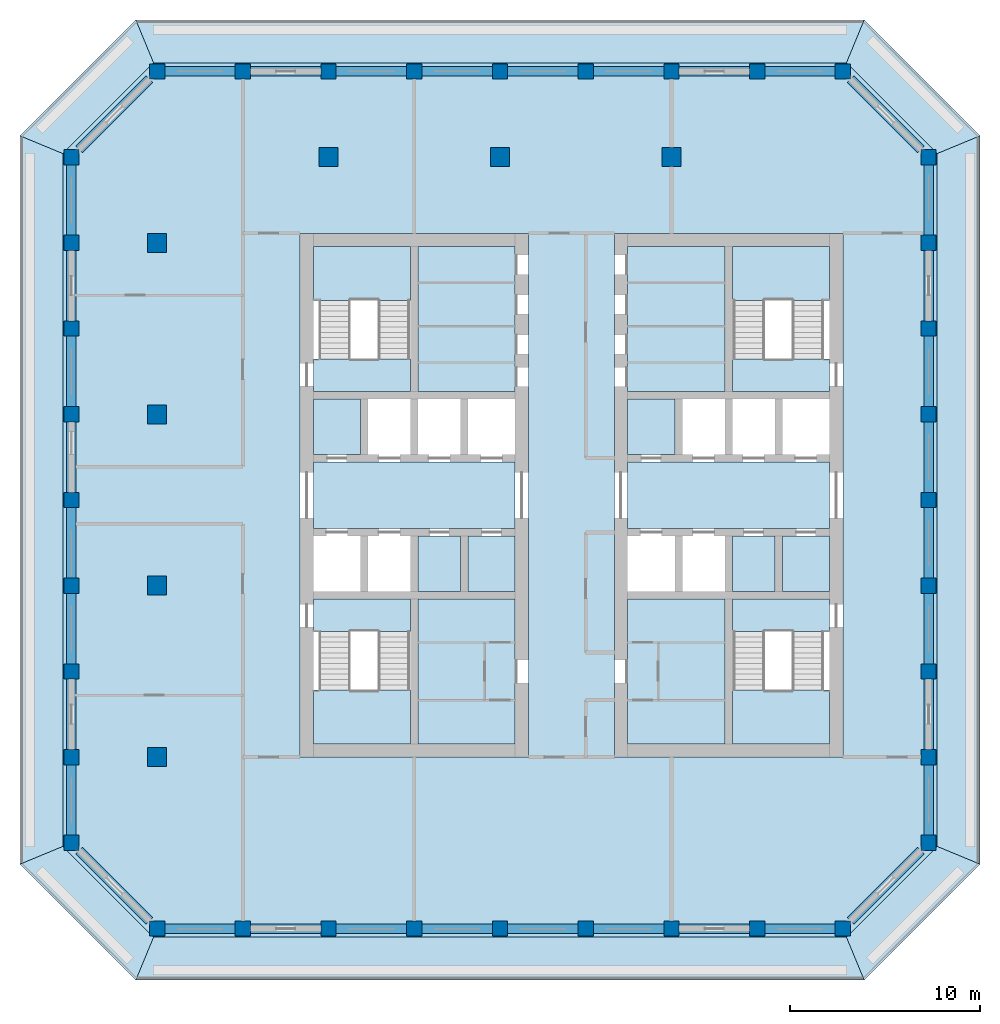
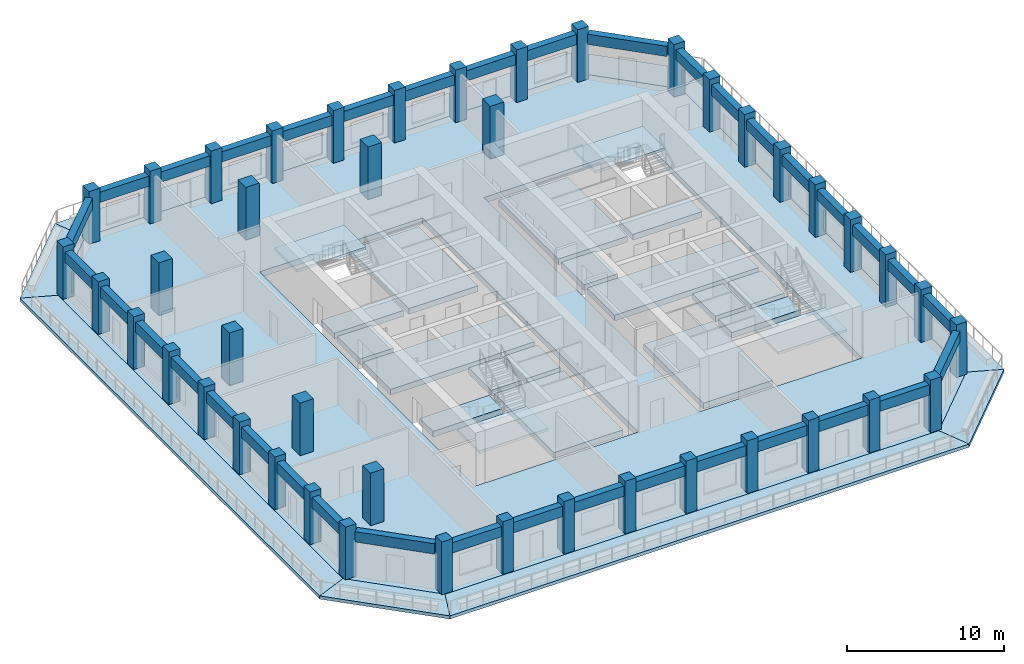
# One storey, part 1 of 14: 43 columns, 36 beams, 29 slabs, 4 elements without a shape of their own.
"""IFC4 building model written with IfcOpenShell, lengths in metres."""

from ifc_helpers import new_model, si_unit, direction, frame, origin, origin_2d, place, context, subcontext, project, spatial, polyline, rectangle, outline, extrude, material, layer, layer_set, material_profile, profile_set, type_object, element, aggregate, save


model = new_model("IFC4")

# Units and contexts
model_context = context("Model", 3, precision=1e-05, world=origin(), true_north=direction((0.0, 1.0)))
body_context = subcontext(model_context, "Body", "Model", "MODEL_VIEW")
ifc_project = project(units=[si_unit("LENGTHUNIT", "METRE"), si_unit("AREAUNIT", "SQUARE_METRE"), si_unit("VOLUMEUNIT", "CUBIC_METRE"), si_unit("PLANEANGLEUNIT", "RADIAN"), si_unit("MASSUNIT", "GRAM", prefix="KILO")], contexts=[model_context])

# Site, building, storey
site_placement = place(None, origin())
site = spatial("IfcSite", under=ifc_project, at=site_placement, CompositionType="ELEMENT")
building_placement = place(site_placement, origin())
building = spatial("IfcBuilding", under=site, at=building_placement, Name="Corbel Stack Research Tower", CompositionType="ELEMENT")
storey_placement = place(building_placement, frame((0.0, 0.0, 270.39990234375)))
storey = spatial("IfcBuildingStorey", under=building, at=storey_placement, Name="L61", CompositionType="ELEMENT", Elevation=270.39990234375)

# Columns
ifc_material_1 = material(Name="Concrete C60/75", Category="concrete")
ifc_material_profile_1 = material_profile(ifc_material_1, rectangle(XDim=1.0, YDim=1.0, at=origin_2d()), Name="RC 1000 x 1000")
ifc_profile_set_1 = profile_set([ifc_material_profile_1], Name="Concrete C60/75")
column_type_1 = type_object("IfcColumnType", Name="C-1000-60", PredefinedType="COLUMN", material=ifc_profile_set_1)
for number, where, z_axis, x_axis, name in (
    (1, (-18.0, -9.0, 0.0), (0.0, 0.0, 1.0), (1.0, 0.0, 0.0), "Column 4/F L61"),
    (2, (-18.0, 0.0, 0.0), (0.0, 0.0, 1.0), (1.0, 0.0, 0.0), "Column 4/H L61"),
    (3, (-18.0, 9.0, 0.0), (0.0, 0.0, 1.0), (1.0, 0.0, 0.0), "Column 4/K L61"),
    (4, (-18.0, 18.0, 0.0), (0.0, 0.0, 1.0), (1.0, 0.0, 0.0), "Column 4/M L61"),
    (5, (-9.0, 22.5, 0.0), (0.0, 0.0, 1.0), (1.0, 0.0, 0.0), "Column 6/N L61"),
    (6, (0.0, 22.5, 0.0), (0.0, 0.0, 1.0), (1.0, 0.0, 0.0), "Column 8/N L61"),
    (7, (9.0, 22.5, 0.0), (0.0, 0.0, 1.0), (1.0, 0.0, 0.0), "Column 10/N L61"),
):
    element("IfcColumn", number, at=place(storey_placement, frame(where, z_axis=z_axis, x_axis=x_axis)), inside=storey, type_object=column_type_1, Name=name, PredefinedType="COLUMN", context=body_context, shape_type="SweptSolid", body=[
        extrude(rectangle(XDim=1.0, YDim=1.0, at=origin_2d()), origin(), (0.0, 0.0, 1.0), 4.10009765625),
    ])
ifc_material_2 = material(Name="Concrete C60/75", Category="concrete")
ifc_material_profile_2 = material_profile(ifc_material_2, rectangle(XDim=0.800048828125, YDim=0.800048828125, at=origin_2d()), Name="RC 800 x 800")
ifc_profile_set_2 = profile_set([ifc_material_profile_2], Name="Concrete C60/75")
column_type_2 = type_object("IfcColumnType", Name="C-800-60", PredefinedType="COLUMN", material=ifc_profile_set_2)
for number, where, z_axis, x_axis, name in (
    (8, (-22.5, -13.5, 0.0), (0.0, 0.0, 1.0), (1.0, 0.0, 0.0), "Column 3/E L61"),
    (9, (-22.5, -9.0, 0.0), (0.0, 0.0, 1.0), (1.0, 0.0, 0.0), "Column 3/F L61"),
    (10, (-22.5, -4.5, 0.0), (0.0, 0.0, 1.0), (1.0, 0.0, 0.0), "Column 3/G L61"),
    (11, (-22.5, 0.0, 0.0), (0.0, 0.0, 1.0), (1.0, 0.0, 0.0), "Column 3/H L61"),
    (12, (-22.5, 4.5, 0.0), (0.0, 0.0, 1.0), (1.0, 0.0, 0.0), "Column 3/J L61"),
    (13, (-22.5, 9.0, 0.0), (0.0, 0.0, 1.0), (1.0, 0.0, 0.0), "Column 3/K L61"),
    (14, (-22.5, 13.5, 0.0), (0.0, 0.0, 1.0), (1.0, 0.0, 0.0), "Column 3/L L61"),
    (15, (-22.5, 18.0, 0.0), (0.0, 0.0, 1.0), (1.0, 0.0, 0.0), "Column 3/M L61"),
    (16, (-22.5, 22.5, 0.0), (0.0, 0.0, 1.0), (1.0, 0.0, 0.0), "Column 3/N L61"),
    (17, (-18.0, -18.0, 0.0), (0.0, 0.0, 1.0), (1.0, 0.0, 0.0), "Column 4/D L61"),
    (18, (-18.0, 27.0, 0.0), (0.0, 0.0, 1.0), (1.0, 0.0, 0.0), "Column 4/P L61"),
    (19, (-13.5, -18.0, 0.0), (0.0, 0.0, 1.0), (1.0, 0.0, 0.0), "Column 5/D L61"),
    (20, (-13.5, 27.0, 0.0), (0.0, 0.0, 1.0), (1.0, 0.0, 0.0), "Column 5/P L61"),
    (21, (-9.0, -18.0, 0.0), (0.0, 0.0, 1.0), (1.0, 0.0, 0.0), "Column 6/D L61"),
    (22, (-9.0, 27.0, 0.0), (0.0, 0.0, 1.0), (1.0, 0.0, 0.0), "Column 6/P L61"),
    (23, (-4.5, -18.0, 0.0), (0.0, 0.0, 1.0), (1.0, 0.0, 0.0), "Column 7/D L61"),
    (24, (-4.5, 27.0, 0.0), (0.0, 0.0, 1.0), (1.0, 0.0, 0.0), "Column 7/P L61"),
    (25, (0.0, -18.0, 0.0), (0.0, 0.0, 1.0), (1.0, 0.0, 0.0), "Column 8/D L61"),
    (26, (0.0, 27.0, 0.0), (0.0, 0.0, 1.0), (1.0, 0.0, 0.0), "Column 8/P L61"),
    (27, (4.5, -18.0, 0.0), (0.0, 0.0, 1.0), (1.0, 0.0, 0.0), "Column 9/D L61"),
    (28, (4.5, 27.0, 0.0), (0.0, 0.0, 1.0), (1.0, 0.0, 0.0), "Column 9/P L61"),
    (29, (9.0, -18.0, 0.0), (0.0, 0.0, 1.0), (1.0, 0.0, 0.0), "Column 10/D L61"),
    (30, (9.0, 27.0, 0.0), (0.0, 0.0, 1.0), (1.0, 0.0, 0.0), "Column 10/P L61"),
    (31, (13.5, -18.0, 0.0), (0.0, 0.0, 1.0), (1.0, 0.0, 0.0), "Column 11/D L61"),
    (32, (13.5, 27.0, 0.0), (0.0, 0.0, 1.0), (1.0, 0.0, 0.0), "Column 11/P L61"),
    (33, (18.0, -18.0, 0.0), (0.0, 0.0, 1.0), (1.0, 0.0, 0.0), "Column 12/D L61"),
    (34, (18.0, 27.0, 0.0), (0.0, 0.0, 1.0), (1.0, 0.0, 0.0), "Column 12/P L61"),
    (35, (22.5, -13.5, 0.0), (0.0, 0.0, 1.0), (1.0, 0.0, 0.0), "Column 13/E L61"),
    (36, (22.5, -9.0, 0.0), (0.0, 0.0, 1.0), (1.0, 0.0, 0.0), "Column 13/F L61"),
    (37, (22.5, -4.5, 0.0), (0.0, 0.0, 1.0), (1.0, 0.0, 0.0), "Column 13/G L61"),
    (38, (22.5, 0.0, 0.0), (0.0, 0.0, 1.0), (1.0, 0.0, 0.0), "Column 13/H L61"),
    (39, (22.5, 4.5, 0.0), (0.0, 0.0, 1.0), (1.0, 0.0, 0.0), "Column 13/J L61"),
    (40, (22.5, 9.0, 0.0), (0.0, 0.0, 1.0), (1.0, 0.0, 0.0), "Column 13/K L61"),
    (41, (22.5, 13.5, 0.0), (0.0, 0.0, 1.0), (1.0, 0.0, 0.0), "Column 13/L L61"),
    (42, (22.5, 18.0, 0.0), (0.0, 0.0, 1.0), (1.0, 0.0, 0.0), "Column 13/M L61"),
    (43, (22.5, 22.5, 0.0), (0.0, 0.0, 1.0), (1.0, 0.0, 0.0), "Column 13/N L61"),
):
    element("IfcColumn", number, at=place(storey_placement, frame(where, z_axis=z_axis, x_axis=x_axis)), inside=storey, type_object=column_type_2, Name=name, PredefinedType="COLUMN", context=body_context, shape_type="SweptSolid", body=[
        extrude(rectangle(XDim=0.800048828125, YDim=0.800048828125, at=origin_2d()), origin(), (0.0, 0.0, 1.0), 4.10009765625),
    ])

# Beams
ifc_material_3 = material(Name="Concrete C60/75", Category="concrete")
ifc_material_profile_3 = material_profile(ifc_material_3, rectangle(XDim=0.5, YDim=0.800048828125, at=origin_2d()), Name="RC 500 x 800")
ifc_profile_set_3 = profile_set([ifc_material_profile_3], Name="Concrete C60/75")
beam_type = type_object("IfcBeamType", Name="SB-500-800-450", PredefinedType="SPANDREL", material=ifc_profile_set_3)
for number, where, z_axis, x_axis, name in (
    (44, (-17.60009765625, -18.0, 3.25), (1.0, 0.0, 0.0), (0.0, 1.0, 0.0), "Spandrel beam L61-01"),
    (45, (-13.10009765625, -18.0, 3.25), (1.0, 0.0, 0.0), (0.0, 1.0, 0.0), "Spandrel beam L61-02"),
    (46, (-8.60009765625, -18.0, 3.25), (1.0, 0.0, 0.0), (0.0, 1.0, 0.0), "Spandrel beam L61-03"),
    (47, (-4.10009765625, -18.0, 3.25), (1.0, 0.0, 0.0), (0.0, 1.0, 0.0), "Spandrel beam L61-04"),
    (48, (0.39990234375, -18.0, 3.25), (1.0, 0.0, 0.0), (0.0, 1.0, 0.0), "Spandrel beam L61-05"),
    (49, (4.89990234375, -18.0, 3.25), (1.0, 0.0, 0.0), (0.0, 1.0, 0.0), "Spandrel beam L61-06"),
    (50, (9.39990234375, -18.0, 3.25), (1.0, 0.0, 0.0), (0.0, 1.0, 0.0), "Spandrel beam L61-07"),
    (51, (13.89990234375, -18.0, 3.25), (1.0, 0.0, 0.0), (0.0, 1.0, 0.0), "Spandrel beam L61-08"),
):
    element("IfcBeam", number, at=place(storey_placement, frame(where, z_axis=z_axis, x_axis=x_axis)), inside=storey, type_object=beam_type, Name=name, PredefinedType="SPANDREL", context=body_context, shape_type="SweptSolid", body=[
        extrude(rectangle(XDim=0.5, YDim=0.800048828125, at=origin_2d()), origin(), (0.0, 0.0, 1.0), 3.7001953125),
    ])
beam_1_placement = place(storey_placement, frame((18.39990234375, -17.60009765625, 3.25), z_axis=(0.707106781187, 0.707106781187, 0.0), x_axis=(-0.707106781187, 0.707106781187, 0.0)))
element("IfcBeam", 52, at=beam_1_placement, inside=storey, type_object=beam_type, Name="Spandrel beam L61-09", PredefinedType="SPANDREL", context=body_context, shape_type="SweptSolid", body=[
    extrude(rectangle(XDim=0.5, YDim=0.800048828125, at=origin_2d()), origin(), (0.0, 0.0, 1.0), 5.23291015625),
])
for number, where, z_axis, x_axis, name in (
    (53, (22.5, -13.10009765625, 3.25), (0.0, 1.0, 0.0), (-1.0, 0.0, 0.0), "Spandrel beam L61-10"),
    (54, (22.5, -8.60009765625, 3.25), (0.0, 1.0, 0.0), (-1.0, 0.0, 0.0), "Spandrel beam L61-11"),
    (55, (22.5, -4.10009765625, 3.25), (0.0, 1.0, 0.0), (-1.0, 0.0, 0.0), "Spandrel beam L61-12"),
    (56, (22.5, 0.39990234375, 3.25), (0.0, 1.0, 0.0), (-1.0, 0.0, 0.0), "Spandrel beam L61-13"),
    (57, (22.5, 4.89990234375, 3.25), (0.0, 1.0, 0.0), (-1.0, 0.0, 0.0), "Spandrel beam L61-14"),
    (58, (22.5, 9.39990234375, 3.25), (0.0, 1.0, 0.0), (-1.0, 0.0, 0.0), "Spandrel beam L61-15"),
    (59, (22.5, 13.89990234375, 3.25), (0.0, 1.0, 0.0), (-1.0, 0.0, 0.0), "Spandrel beam L61-16"),
    (60, (22.5, 18.39990234375, 3.25), (0.0, 1.0, 0.0), (-1.0, 0.0, 0.0), "Spandrel beam L61-17"),
):
    element("IfcBeam", number, at=place(storey_placement, frame(where, z_axis=z_axis, x_axis=x_axis)), inside=storey, type_object=beam_type, Name=name, PredefinedType="SPANDREL", context=body_context, shape_type="SweptSolid", body=[
        extrude(rectangle(XDim=0.5, YDim=0.800048828125, at=origin_2d()), origin(), (0.0, 0.0, 1.0), 3.7001953125),
    ])
beam_2_placement = place(storey_placement, frame((22.10009765625, 22.89990234375, 3.25), z_axis=(-0.707106781187, 0.707106781187, 0.0), x_axis=(-0.707106781187, -0.707106781187, 0.0)))
element("IfcBeam", 61, at=beam_2_placement, inside=storey, type_object=beam_type, Name="Spandrel beam L61-18", PredefinedType="SPANDREL", context=body_context, shape_type="SweptSolid", body=[
    extrude(rectangle(XDim=0.5, YDim=0.800048828125, at=origin_2d()), origin(), (0.0, 0.0, 1.0), 5.23291015625),
])
for number, where, z_axis, x_axis, name in (
    (62, (17.60009765625, 27.0, 3.25), (-1.0, 0.0, 0.0), (0.0, -1.0, 0.0), "Spandrel beam L61-19"),
    (63, (13.10009765625, 27.0, 3.25), (-1.0, 0.0, 0.0), (0.0, -1.0, 0.0), "Spandrel beam L61-20"),
    (64, (8.60009765625, 27.0, 3.25), (-1.0, 0.0, 0.0), (0.0, -1.0, 0.0), "Spandrel beam L61-21"),
    (65, (4.10009765625, 27.0, 3.25), (-1.0, 0.0, 0.0), (0.0, -1.0, 0.0), "Spandrel beam L61-22"),
    (66, (-0.39990234375, 27.0, 3.25), (-1.0, 0.0, 0.0), (0.0, -1.0, 0.0), "Spandrel beam L61-23"),
    (67, (-4.89990234375, 27.0, 3.25), (-1.0, 0.0, 0.0), (0.0, -1.0, 0.0), "Spandrel beam L61-24"),
    (68, (-9.39990234375, 27.0, 3.25), (-1.0, 0.0, 0.0), (0.0, -1.0, 0.0), "Spandrel beam L61-25"),
    (69, (-13.89990234375, 27.0, 3.25), (-1.0, 0.0, 0.0), (0.0, -1.0, 0.0), "Spandrel beam L61-26"),
):
    element("IfcBeam", number, at=place(storey_placement, frame(where, z_axis=z_axis, x_axis=x_axis)), inside=storey, type_object=beam_type, Name=name, PredefinedType="SPANDREL", context=body_context, shape_type="SweptSolid", body=[
        extrude(rectangle(XDim=0.5, YDim=0.800048828125, at=origin_2d()), origin(), (0.0, 0.0, 1.0), 3.7001953125),
    ])
beam_3_placement = place(storey_placement, frame((-18.39990234375, 26.60009765625, 3.25), z_axis=(-0.707106781187, -0.707106781187, 0.0), x_axis=(0.707106781187, -0.707106781187, 0.0)))
element("IfcBeam", 70, at=beam_3_placement, inside=storey, type_object=beam_type, Name="Spandrel beam L61-27", PredefinedType="SPANDREL", context=body_context, shape_type="SweptSolid", body=[
    extrude(rectangle(XDim=0.5, YDim=0.800048828125, at=origin_2d()), origin(), (0.0, 0.0, 1.0), 5.23291015625),
])
for number, where, z_axis, x_axis, name in (
    (71, (-22.5, 22.10009765625, 3.25), (0.0, -1.0, 0.0), (1.0, 0.0, 0.0), "Spandrel beam L61-28"),
    (72, (-22.5, 17.60009765625, 3.25), (0.0, -1.0, 0.0), (1.0, 0.0, 0.0), "Spandrel beam L61-29"),
    (73, (-22.5, 13.10009765625, 3.25), (0.0, -1.0, 0.0), (1.0, 0.0, 0.0), "Spandrel beam L61-30"),
    (74, (-22.5, 8.60009765625, 3.25), (0.0, -1.0, 0.0), (1.0, 0.0, 0.0), "Spandrel beam L61-31"),
    (75, (-22.5, 4.10009765625, 3.25), (0.0, -1.0, 0.0), (1.0, 0.0, 0.0), "Spandrel beam L61-32"),
    (76, (-22.5, -0.39990234375, 3.25), (0.0, -1.0, 0.0), (1.0, 0.0, 0.0), "Spandrel beam L61-33"),
    (77, (-22.5, -4.89990234375, 3.25), (0.0, -1.0, 0.0), (1.0, 0.0, 0.0), "Spandrel beam L61-34"),
    (78, (-22.5, -9.39990234375, 3.25), (0.0, -1.0, 0.0), (1.0, 0.0, 0.0), "Spandrel beam L61-35"),
):
    element("IfcBeam", number, at=place(storey_placement, frame(where, z_axis=z_axis, x_axis=x_axis)), inside=storey, type_object=beam_type, Name=name, PredefinedType="SPANDREL", context=body_context, shape_type="SweptSolid", body=[
        extrude(rectangle(XDim=0.5, YDim=0.800048828125, at=origin_2d()), origin(), (0.0, 0.0, 1.0), 3.7001953125),
    ])
beam_4_placement = place(storey_placement, frame((-22.10009765625, -13.89990234375, 3.25), z_axis=(0.707106781187, -0.707106781187, 0.0), x_axis=(0.707106781187, 0.707106781187, 0.0)))
element("IfcBeam", 79, at=beam_4_placement, inside=storey, type_object=beam_type, Name="Spandrel beam L61-36", PredefinedType="SPANDREL", context=body_context, shape_type="SweptSolid", body=[
    extrude(rectangle(XDim=0.5, YDim=0.800048828125, at=origin_2d()), origin(), (0.0, 0.0, 1.0), 5.23291015625),
])

# Slabs
ifc_material_4 = material(Name="Concrete C45/55", Category="concrete")
ifc_layer_1 = layer(ifc_material_4, 0.25)
ifc_layer_set_1 = layer_set([ifc_layer_1], Name="Concrete C45/55")
slab_type_1 = type_object("IfcSlabType", Name="PT balcony slab 250 C45/55", PredefinedType="FLOOR", material=ifc_layer_set_1)
slab_1_placement = place(storey_placement, frame((0.0, 0.0, -0.25)))
element("IfcSlab", 80, at=slab_1_placement, inside=storey, type_object=slab_type_1, Name="Loggia slab L61 S", PredefinedType="FLOOR", context=body_context, shape_type="SweptSolid", body=[
    extrude(outline(polyline([(18.186279296875, -18.449951171875), (-18.186279296875, -18.449951171875), (-19.118408203125, -20.699951171875), (19.118408203125, -20.699951171875), (18.186279296875, -18.449951171875)])), origin(), (0.0, 0.0, 1.0), 0.25),
])
slab_2_placement = place(storey_placement, frame((0.0, 0.0, -0.25)))
element("IfcSlab", 81, at=slab_2_placement, inside=storey, type_object=slab_type_1, Name="Loggia slab L61 SE", PredefinedType="FLOOR", context=body_context, shape_type="SweptSolid", body=[
    extrude(outline(polyline([(22.949951171875, -13.686279296875), (22.89990234375, -13.736328125), (22.89990234375, -13.89990234375), (22.736328125, -13.89990234375), (18.39990234375, -18.236328125), (18.39990234375, -18.39990234375), (18.236328125, -18.39990234375), (18.186279296875, -18.449951171875), (19.118408203125, -20.699951171875), (25.199951171875, -14.618408203125), (22.949951171875, -13.686279296875)])), origin(), (0.0, 0.0, 1.0), 0.25),
])
slab_3_placement = place(storey_placement, frame((0.0, 0.0, -0.25)))
element("IfcSlab", 82, at=slab_3_placement, inside=storey, type_object=slab_type_1, Name="Loggia slab L61 E", PredefinedType="FLOOR", context=body_context, shape_type="SweptSolid", body=[
    extrude(outline(polyline([(22.949951171875, 22.686279296875), (22.949951171875, -13.686279296875), (25.199951171875, -14.618408203125), (25.199951171875, 23.618408203125), (22.949951171875, 22.686279296875)])), origin(), (0.0, 0.0, 1.0), 0.25),
])
slab_4_placement = place(storey_placement, frame((0.0, 0.0, -0.25)))
element("IfcSlab", 83, at=slab_4_placement, inside=storey, type_object=slab_type_1, Name="Loggia slab L61 NE", PredefinedType="FLOOR", context=body_context, shape_type="SweptSolid", body=[
    extrude(outline(polyline([(18.186279296875, 27.449951171875), (18.236328125, 27.39990234375), (18.39990234375, 27.39990234375), (18.39990234375, 27.236328125), (22.736328125, 22.89990234375), (22.89990234375, 22.89990234375), (22.89990234375, 22.736328125), (22.949951171875, 22.686279296875), (25.199951171875, 23.618408203125), (19.118408203125, 29.699951171875), (18.186279296875, 27.449951171875)])), origin(), (0.0, 0.0, 1.0), 0.25),
])
slab_5_placement = place(storey_placement, frame((0.0, 0.0, -0.25)))
element("IfcSlab", 84, at=slab_5_placement, inside=storey, type_object=slab_type_1, Name="Loggia slab L61 N", PredefinedType="FLOOR", context=body_context, shape_type="SweptSolid", body=[
    extrude(outline(polyline([(-18.186279296875, 27.449951171875), (18.186279296875, 27.449951171875), (19.118408203125, 29.699951171875), (-19.118408203125, 29.699951171875), (-18.186279296875, 27.449951171875)])), origin(), (0.0, 0.0, 1.0), 0.25),
])
slab_6_placement = place(storey_placement, frame((0.0, 0.0, -0.25)))
element("IfcSlab", 85, at=slab_6_placement, inside=storey, type_object=slab_type_1, Name="Loggia slab L61 NW", PredefinedType="FLOOR", context=body_context, shape_type="SweptSolid", body=[
    extrude(outline(polyline([(-22.949951171875, 22.686279296875), (-22.89990234375, 22.736328125), (-22.89990234375, 22.89990234375), (-22.736328125, 22.89990234375), (-18.39990234375, 27.236328125), (-18.39990234375, 27.39990234375), (-18.236328125, 27.39990234375), (-18.186279296875, 27.449951171875), (-19.118408203125, 29.699951171875), (-25.199951171875, 23.618408203125), (-22.949951171875, 22.686279296875)])), origin(), (0.0, 0.0, 1.0), 0.25),
])
slab_7_placement = place(storey_placement, frame((0.0, 0.0, -0.25)))
element("IfcSlab", 86, at=slab_7_placement, inside=storey, type_object=slab_type_1, Name="Loggia slab L61 W", PredefinedType="FLOOR", context=body_context, shape_type="SweptSolid", body=[
    extrude(outline(polyline([(-22.949951171875, -13.686279296875), (-22.949951171875, 22.686279296875), (-25.199951171875, 23.618408203125), (-25.199951171875, -14.618408203125), (-22.949951171875, -13.686279296875)])), origin(), (0.0, 0.0, 1.0), 0.25),
])
slab_8_placement = place(storey_placement, frame((0.0, 0.0, -0.25)))
element("IfcSlab", 87, at=slab_8_placement, inside=storey, type_object=slab_type_1, Name="Loggia slab L61 SW", PredefinedType="FLOOR", context=body_context, shape_type="SweptSolid", body=[
    extrude(outline(polyline([(-18.186279296875, -18.449951171875), (-18.236328125, -18.39990234375), (-18.39990234375, -18.39990234375), (-18.39990234375, -18.236328125), (-22.736328125, -13.89990234375), (-22.89990234375, -13.89990234375), (-22.89990234375, -13.736328125), (-22.949951171875, -13.686279296875), (-25.199951171875, -14.618408203125), (-19.118408203125, -20.699951171875), (-18.186279296875, -18.449951171875)])), origin(), (0.0, 0.0, 1.0), 0.25),
])
ifc_material_5 = material(Name="Concrete C45/55", Category="concrete")
ifc_layer_2 = layer(ifc_material_5, 0.449951171875)
ifc_layer_set_2 = layer_set([ifc_layer_2], Name="Concrete C45/55")
slab_type_2 = type_object("IfcSlabType", Name="PT-450", PredefinedType="FLOOR", material=ifc_layer_set_2)
slab_9_placement = place(storey_placement, frame((0.0, 0.0, -0.449951171875)))
element("IfcSlab", 88, at=slab_9_placement, inside=storey, type_object=slab_type_2, Name="Floor slab L61", PredefinedType="FLOOR", context=body_context, shape_type="SweptSolid", body=[
    extrude(outline(polyline([(-18.186279296875, -18.449951171875), (18.186279296875, -18.449951171875), (22.949951171875, -13.686279296875), (22.949951171875, 22.686279296875), (18.186279296875, 27.449951171875), (-18.186279296875, 27.449951171875), (-22.949951171875, 22.686279296875), (-22.949951171875, -13.686279296875), (-18.186279296875, -18.449951171875)]), holes=[polyline([(18.0, 18.5), (18.0, -9.0), (6.0, -9.0), (6.0, 18.5), (18.0, 18.5)]), polyline([(9.5, 22.0), (8.5, 22.0), (8.5, 23.0), (9.5, 23.0), (9.5, 22.0)]), polyline([(1.5, 18.5), (1.5, -9.0), (-10.5, -9.0), (-10.5, 18.5), (1.5, 18.5)]), polyline([(0.5, 22.0), (-0.5, 22.0), (-0.5, 23.0), (0.5, 23.0), (0.5, 22.0)]), polyline([(-8.5, 23.0), (-8.5, 22.0), (-9.5, 22.0), (-9.5, 23.0), (-8.5, 23.0)]), polyline([(-17.5, -8.5), (-17.5, -9.5), (-18.5, -9.5), (-18.5, -8.5), (-17.5, -8.5)]), polyline([(-17.5, 0.5), (-17.5, -0.5), (-18.5, -0.5), (-18.5, 0.5), (-17.5, 0.5)]), polyline([(-17.5, 9.5), (-17.5, 8.5), (-18.5, 8.5), (-18.5, 9.5), (-17.5, 9.5)]), polyline([(-17.5, 18.5), (-17.5, 17.5), (-18.5, 17.5), (-18.5, 18.5), (-17.5, 18.5)])]), origin(), (0.0, 0.0, 1.0), 0.449951171875),
])
slab_10_placement = place(storey_placement, frame((0.0, 0.0, -0.449951171875)))
element("IfcSlab", 89, at=slab_10_placement, inside=storey, type_object=slab_type_2, Name="West core floor L61", PredefinedType="FLOOR", context=body_context, shape_type="SweptSolid", body=[
    extrude(outline(polyline([(-9.800048828125, 6.5), (-9.800048828125, 3.0), (0.800048828125, 3.0), (0.800048828125, 6.5), (-9.800048828125, 6.5)])), origin(), (0.0, 0.0, 1.0), 0.449951171875),
])
slab_11_placement = place(storey_placement, frame((0.0, 0.0, -0.449951171875)))
element("IfcSlab", 90, at=slab_11_placement, inside=storey, type_object=slab_type_2, Name="West core floor L61", PredefinedType="FLOOR", context=body_context, shape_type="SweptSolid", body=[
    extrude(outline(polyline([(-9.800048828125, 6.89990234375), (-7.324951171875, 6.89990234375), (-7.324951171875, 9.800048828125), (-9.800048828125, 9.800048828125), (-9.800048828125, 6.89990234375)])), origin(), (0.0, 0.0, 1.0), 0.449951171875),
])
slab_12_placement = place(storey_placement, frame((0.0, 0.0, -0.449951171875)))
element("IfcSlab", 91, at=slab_12_placement, inside=storey, type_object=slab_type_2, Name="West core floor L61", PredefinedType="FLOOR", context=body_context, shape_type="SweptSolid", body=[
    extrude(outline(polyline([(-4.300048828125, -0.699951171875), (-4.300048828125, -8.300048828125), (0.800048828125, -8.300048828125), (0.800048828125, -0.699951171875), (-4.300048828125, -0.699951171875)])), origin(), (0.0, 0.0, 1.0), 0.449951171875),
])
slab_13_placement = place(storey_placement, frame((0.0, 0.0, -0.449951171875)))
element("IfcSlab", 92, at=slab_13_placement, inside=storey, type_object=slab_type_2, Name="West core floor L61", PredefinedType="FLOOR", context=body_context, shape_type="SweptSolid", body=[
    extrude(outline(polyline([(-4.300048828125, 2.60009765625), (-4.300048828125, -0.300048828125), (-2.074951171875, -0.300048828125), (-2.074951171875, 2.60009765625), (-4.300048828125, 2.60009765625)])), origin(), (0.0, 0.0, 1.0), 0.449951171875),
])
slab_14_placement = place(storey_placement, frame((0.0, 0.0, -0.449951171875)))
element("IfcSlab", 93, at=slab_14_placement, inside=storey, type_object=slab_type_2, Name="West core floor L61", PredefinedType="FLOOR", context=body_context, shape_type="SweptSolid", body=[
    extrude(outline(polyline([(-4.300048828125, 17.800048828125), (-4.300048828125, 10.199951171875), (0.800048828125, 10.199951171875), (0.800048828125, 17.800048828125), (-4.300048828125, 17.800048828125)])), origin(), (0.0, 0.0, 1.0), 0.449951171875),
])
slab_15_placement = place(storey_placement, frame((0.0, 0.0, -0.449951171875)))
element("IfcSlab", 94, at=slab_15_placement, inside=storey, type_object=slab_type_2, Name="West core floor L61", PredefinedType="FLOOR", context=body_context, shape_type="SweptSolid", body=[
    extrude(outline(polyline([(-1.675048828125, 2.60009765625), (-1.675048828125, -0.300048828125), (0.800048828125, -0.300048828125), (0.800048828125, 2.60009765625), (-1.675048828125, 2.60009765625)])), origin(), (0.0, 0.0, 1.0), 0.449951171875),
])
slab_16_placement = place(storey_placement, frame((0.0, 0.0, -0.449951171875)))
element("IfcSlab", 95, at=slab_16_placement, inside=storey, type_object=slab_type_2, Name="East core floor L61", PredefinedType="FLOOR", context=body_context, shape_type="SweptSolid", body=[
    extrude(outline(polyline([(6.699951171875, -8.300048828125), (11.800048828125, -8.300048828125), (11.800048828125, -0.699951171875), (6.699951171875, -0.699951171875), (6.699951171875, -8.300048828125)])), origin(), (0.0, 0.0, 1.0), 0.449951171875),
])
slab_17_placement = place(storey_placement, frame((0.0, 0.0, -0.449951171875)))
element("IfcSlab", 96, at=slab_17_placement, inside=storey, type_object=slab_type_2, Name="East core floor L61", PredefinedType="FLOOR", context=body_context, shape_type="SweptSolid", body=[
    extrude(outline(polyline([(6.699951171875, 3.0), (17.300048828125, 3.0), (17.300048828125, 6.5), (6.699951171875, 6.5), (6.699951171875, 3.0)])), origin(), (0.0, 0.0, 1.0), 0.449951171875),
])
slab_18_placement = place(storey_placement, frame((0.0, 0.0, -0.449951171875)))
element("IfcSlab", 97, at=slab_18_placement, inside=storey, type_object=slab_type_2, Name="East core floor L61", PredefinedType="FLOOR", context=body_context, shape_type="SweptSolid", body=[
    extrude(outline(polyline([(6.699951171875, 6.89990234375), (9.175048828125, 6.89990234375), (9.175048828125, 9.800048828125), (6.699951171875, 9.800048828125), (6.699951171875, 6.89990234375)])), origin(), (0.0, 0.0, 1.0), 0.449951171875),
])
slab_19_placement = place(storey_placement, frame((0.0, 0.0, -0.449951171875)))
element("IfcSlab", 98, at=slab_19_placement, inside=storey, type_object=slab_type_2, Name="East core floor L61", PredefinedType="FLOOR", context=body_context, shape_type="SweptSolid", body=[
    extrude(outline(polyline([(6.699951171875, 10.199951171875), (11.800048828125, 10.199951171875), (11.800048828125, 17.800048828125), (6.699951171875, 17.800048828125), (6.699951171875, 10.199951171875)])), origin(), (0.0, 0.0, 1.0), 0.449951171875),
])
slab_20_placement = place(storey_placement, frame((0.0, 0.0, -0.449951171875)))
element("IfcSlab", 99, at=slab_20_placement, inside=storey, type_object=slab_type_2, Name="East core floor L61", PredefinedType="FLOOR", context=body_context, shape_type="SweptSolid", body=[
    extrude(outline(polyline([(12.199951171875, 2.60009765625), (12.199951171875, -0.300048828125), (14.425048828125, -0.300048828125), (14.425048828125, 2.60009765625), (12.199951171875, 2.60009765625)])), origin(), (0.0, 0.0, 1.0), 0.449951171875),
])
slab_21_placement = place(storey_placement, frame((0.0, 0.0, -0.449951171875)))
element("IfcSlab", 100, at=slab_21_placement, inside=storey, type_object=slab_type_2, Name="East core floor L61", PredefinedType="FLOOR", context=body_context, shape_type="SweptSolid", body=[
    extrude(outline(polyline([(14.824951171875, 2.60009765625), (14.824951171875, -0.300048828125), (17.300048828125, -0.300048828125), (17.300048828125, 2.60009765625), (14.824951171875, 2.60009765625)])), origin(), (0.0, 0.0, 1.0), 0.449951171875),
])
slab_22_placement = place(storey_placement, frame((0.0, 0.0, -0.449951171875)))
element("IfcSlab", 101, at=slab_22_placement, inside=storey, type_object=slab_type_2, Name="Stair floor landing ST-W1", PredefinedType="FLOOR", context=body_context, shape_type="SweptSolid", body=[
    extrude(outline(polyline([(-9.800048828125, -2.39990234375), (-4.699951171875, -2.39990234375), (-4.699951171875, -0.699951171875), (-9.800048828125, -0.699951171875), (-9.800048828125, -2.39990234375)])), origin(), (0.0, 0.0, 1.0), 0.449951171875),
])
slab_23_placement = place(storey_placement, frame((0.0, 0.0, -0.449951171875)))
element("IfcSlab", 102, at=slab_23_placement, inside=storey, type_object=slab_type_2, Name="Stair floor landing ST-W2", PredefinedType="FLOOR", context=body_context, shape_type="SweptSolid", body=[
    extrude(outline(polyline([(-9.800048828125, 10.199951171875), (-4.699951171875, 10.199951171875), (-4.699951171875, 11.89990234375), (-9.800048828125, 11.89990234375), (-9.800048828125, 10.199951171875)])), origin(), (0.0, 0.0, 1.0), 0.449951171875),
])
slab_24_placement = place(storey_placement, frame((0.0, 0.0, -0.449951171875)))
element("IfcSlab", 103, at=slab_24_placement, inside=storey, type_object=slab_type_2, Name="Stair floor landing ST-E1", PredefinedType="FLOOR", context=body_context, shape_type="SweptSolid", body=[
    extrude(outline(polyline([(12.199951171875, -2.39990234375), (17.300048828125, -2.39990234375), (17.300048828125, -0.699951171875), (12.199951171875, -0.699951171875), (12.199951171875, -2.39990234375)])), origin(), (0.0, 0.0, 1.0), 0.449951171875),
])
slab_25_placement = place(storey_placement, frame((0.0, 0.0, -0.449951171875)))
element("IfcSlab", 104, at=slab_25_placement, inside=storey, type_object=slab_type_2, Name="Stair floor landing ST-E2", PredefinedType="FLOOR", context=body_context, shape_type="SweptSolid", body=[
    extrude(outline(polyline([(12.199951171875, 10.199951171875), (17.300048828125, 10.199951171875), (17.300048828125, 11.89990234375), (12.199951171875, 11.89990234375), (12.199951171875, 10.199951171875)])), origin(), (0.0, 0.0, 1.0), 0.449951171875),
])

# Stair, slab
ifc_material_6 = material(Name="Concrete C40/50", Category="concrete")
stair_type = type_object("IfcStairType", Name="Exit stair 24 risers", PredefinedType="HALF_TURN_STAIR", material=ifc_material_6)
stair_1_placement = place(storey_placement, origin())
stair_1 = element("IfcStair", 105, at=stair_1_placement, inside=storey, type_object=stair_type, Name="L61 Exit stair ST-W1", PredefinedType="HALF_TURN_STAIR")
ifc_material_7 = material(Name="Concrete C40/50", Category="concrete")
ifc_layer_3 = layer(ifc_material_7, 0.199951171875)
ifc_layer_set_3 = layer_set([ifc_layer_3], Name="Concrete C40/50")
slab_type_3 = type_object("IfcSlabType", Name="Stair landing 200 C40/50", PredefinedType="LANDING", material=ifc_layer_set_3)
slab_26_placement = place(storey_placement, frame((0.0, 0.0, 1.85009765625)))
slab_26 = element("IfcSlab", 106, at=slab_26_placement, type_object=slab_type_3, Name="ST-W1 landing 1", PredefinedType="LANDING", context=body_context, shape_type="SweptSolid", body=[
    extrude(outline(polyline([(-9.800048828125, -8.300048828125), (-9.800048828125, -5.47998046875), (-4.699951171875, -5.47998046875), (-4.699951171875, -8.300048828125), (-9.800048828125, -8.300048828125)])), origin(), (0.0, 0.0, 1.0), 0.199951171875),
])
aggregate(stair_1, [slab_26])

stair_2_placement = place(storey_placement, origin())
stair_2 = element("IfcStair", 107, at=stair_2_placement, inside=storey, type_object=stair_type, Name="L61 Exit stair ST-W2", PredefinedType="HALF_TURN_STAIR")
slab_27_placement = place(storey_placement, frame((0.0, 0.0, 1.85009765625)))
slab_27 = element("IfcSlab", 108, at=slab_27_placement, type_object=slab_type_3, Name="ST-W2 landing 1", PredefinedType="LANDING", context=body_context, shape_type="SweptSolid", body=[
    extrude(outline(polyline([(-9.800048828125, 14.97998046875), (-9.800048828125, 17.800048828125), (-4.699951171875, 17.800048828125), (-4.699951171875, 14.97998046875), (-9.800048828125, 14.97998046875)])), origin(), (0.0, 0.0, 1.0), 0.199951171875),
])
aggregate(stair_2, [slab_27])

stair_3_placement = place(storey_placement, origin())
stair_3 = element("IfcStair", 109, at=stair_3_placement, inside=storey, type_object=stair_type, Name="L61 Exit stair ST-E1", PredefinedType="HALF_TURN_STAIR")
slab_28_placement = place(storey_placement, frame((0.0, 0.0, 1.85009765625)))
slab_28 = element("IfcSlab", 110, at=slab_28_placement, type_object=slab_type_3, Name="ST-E1 landing 1", PredefinedType="LANDING", context=body_context, shape_type="SweptSolid", body=[
    extrude(outline(polyline([(12.199951171875, -8.300048828125), (12.199951171875, -5.47998046875), (17.300048828125, -5.47998046875), (17.300048828125, -8.300048828125), (12.199951171875, -8.300048828125)])), origin(), (0.0, 0.0, 1.0), 0.199951171875),
])
aggregate(stair_3, [slab_28])

stair_4_placement = place(storey_placement, origin())
stair_4 = element("IfcStair", 111, at=stair_4_placement, inside=storey, type_object=stair_type, Name="L61 Exit stair ST-E2", PredefinedType="HALF_TURN_STAIR")
slab_29_placement = place(storey_placement, frame((0.0, 0.0, 1.85009765625)))
slab_29 = element("IfcSlab", 112, at=slab_29_placement, type_object=slab_type_3, Name="ST-E2 landing 1", PredefinedType="LANDING", context=body_context, shape_type="SweptSolid", body=[
    extrude(outline(polyline([(12.199951171875, 14.97998046875), (12.199951171875, 17.800048828125), (17.300048828125, 17.800048828125), (17.300048828125, 14.97998046875), (12.199951171875, 14.97998046875)])), origin(), (0.0, 0.0, 1.0), 0.199951171875),
])
aggregate(stair_4, [slab_29])

save(model, "model.ifc")
